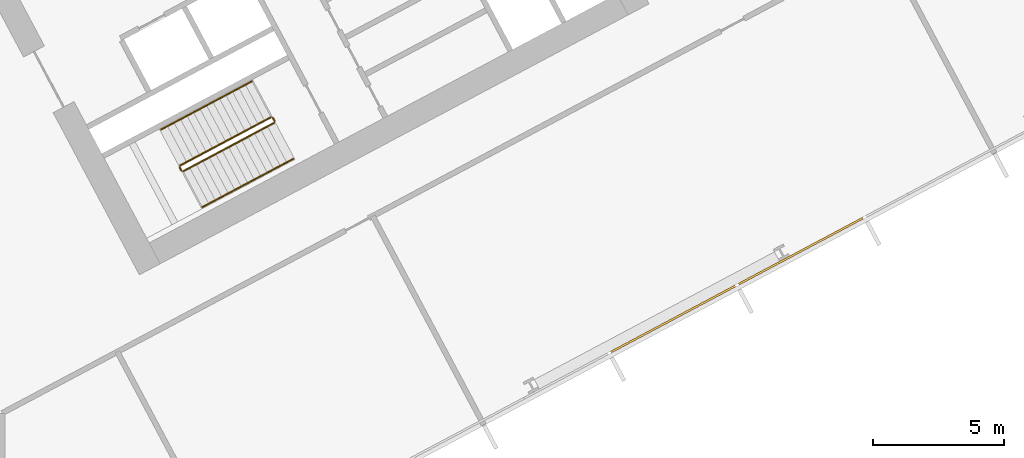
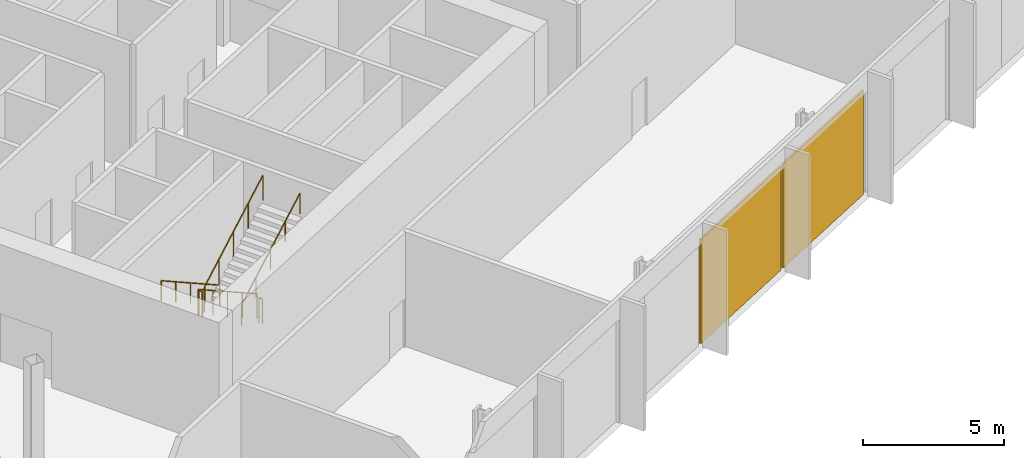
# One storey, part 27 of 32: 6 railings, 2 coverings, 1 element without a shape of its own.
"""IFC4 building model written with IfcOpenShell, lengths in metres."""

from ifc_helpers import new_model, si_unit, direction, frame, origin, origin_2d, place, context, subcontext, project, spatial, polyline, rectangle, outline, extrude, material, layer, layer_set, type_object, element, aggregate, save


model = new_model("IFC4")

# Units and contexts
model_context = context("Model", 3, precision=1e-05, world=origin(), true_north=direction((0.0, 1.0)))
body_context = subcontext(model_context, "Body", "Model", "MODEL_VIEW")
ifc_project = project(units=[si_unit("LENGTHUNIT", "METRE"), si_unit("AREAUNIT", "SQUARE_METRE"), si_unit("VOLUMEUNIT", "CUBIC_METRE"), si_unit("PLANEANGLEUNIT", "RADIAN"), si_unit("MASSUNIT", "GRAM", prefix="KILO")], contexts=[model_context])

# Site, building, storey
site_placement = place(None, origin())
site = spatial("IfcSite", under=ifc_project, at=site_placement, CompositionType="ELEMENT")
building_placement = place(site_placement, origin())
building = spatial("IfcBuilding", under=site, at=building_placement, Name="Cormorant Relay Tower", CompositionType="ELEMENT")
storey_placement = place(building_placement, frame((0.0, 0.0, 39.199951171875)))
storey = spatial("IfcBuildingStorey", under=building, at=storey_placement, Name="L07", CompositionType="ELEMENT", Elevation=39.199951171875)

# Curtain wall, coverings
ifc_material_1 = material(Name="Aluminium 6063-T6 anodised bronze", Category="aluminium")
ifc_layer_1 = layer(ifc_material_1, 0.235107421875)
ifc_layer_set_1 = layer_set([ifc_layer_1], Name="CW6 data hall curtain wall with mineral wool panels")
curtain_wall_type = type_object("IfcCurtainWallType", Name="CW6 data hall curtain wall with mineral wool panels", PredefinedType="NOTDEFINED", material=ifc_layer_set_1)
curtain_wall_placement = place(storey_placement, origin())
curtain_wall = element("IfcCurtainWall", 1, at=curtain_wall_placement, inside=storey, type_object=curtain_wall_type, Name="CW6 curtain wall 2", PredefinedType="NOTDEFINED")
ifc_material_2 = material(Name="Mineral wool cored anodised bronze aluminium cassette panel", Category="aluminium")
ifc_layer_2 = layer(ifc_material_2, 0.074951171875)
ifc_layer_set_2 = layer_set([ifc_layer_2], Name="CW6 mineral wool cassette panel 75")
covering_type = type_object("IfcCoveringType", Name="CW6 mineral wool cassette panel 75", PredefinedType="CLADDING", material=ifc_layer_set_2)
covering_1_placement = place(storey_placement, frame((39.16650390625, -3.001220703125, 0.0), z_axis=(0.0, 0.0, 1.0), x_axis=(0.882947592859, 0.469471562786, 0.0)))
covering_1 = element("IfcCovering", 2, at=covering_1_placement, type_object=covering_type, Name="CW6 panel S07", PredefinedType="CLADDING", context=body_context, shape_type="SweptSolid", body=[
    extrude(rectangle(XDim=5.36181640625, YDim=0.074951171875, at=origin_2d()), origin(), (0.0, 0.0, 1.0), 4.5),
])
covering_2_placement = place(storey_placement, frame((44.033203125, -0.41357421875, 0.0), z_axis=(0.0, 0.0, 1.0), x_axis=(0.882947592859, 0.469471562786, 0.0)))
covering_2 = element("IfcCovering", 3, at=covering_2_placement, type_object=covering_type, Name="CW6 panel S08", PredefinedType="CLADDING", context=body_context, shape_type="SweptSolid", body=[
    extrude(rectangle(XDim=5.36181640625, YDim=0.074951171875, at=origin_2d()), origin(), (0.0, 0.0, 1.0), 4.5),
])
aggregate(curtain_wall, [covering_1, covering_2])

# Railings
ifc_material_3 = material(Name="Steel ASTM A572 Grade 50 (Fy 345 MPa)", Category="steel")
railing_type_1 = type_object("IfcRailingType", Name="Stair guard 1100", PredefinedType="GUARDRAIL", material=ifc_material_3)
railing_1_placement = place(storey_placement, frame((23.83837890625, 4.6904296875, 0.179931640625)))
element("IfcRailing", 4, at=railing_1_placement, inside=storey, type_object=railing_type_1, Name="L07 B1 stair guard 1", PredefinedType="GUARDRAIL", context=body_context, shape_type="SweptSolid", body=[
    extrude(outline(polyline([(0.022216796875, 0.00927734375), (0.00927734375, 0.022216796875), (-0.00927734375, 0.022216796875), (-0.022216796875, 0.00927734375), (-0.022216796875, -0.00927734375), (-0.00927734375, -0.022216796875), (0.00927734375, -0.022216796875), (0.022216796875, -0.00927734375), (0.022216796875, 0.00927734375)])), frame((0.0, 0.0, 1.076171875), z_axis=(-0.74271721126, -0.394907409077, 0.540758062681), x_axis=(0.469469396681, -0.882948744594, 0.0)), (0.0, 0.0, 1.0), 4.66015625),
    extrude(outline(polyline([(0.019287109375, 0.008056640625), (0.008056640625, 0.019287109375), (-0.008056640625, 0.019287109375), (-0.019287109375, 0.008056640625), (-0.019287109375, -0.008056640625), (-0.008056640625, -0.019287109375), (0.008056640625, -0.019287109375), (0.019287109375, -0.008056640625), (0.019287109375, 0.008056640625)])), origin(), (0.0, 0.0, 1.0), 1.052001953125),
    extrude(outline(polyline([(0.019287109375, 0.008056640625), (0.008056640625, 0.019287109375), (-0.008056640625, 0.019287109375), (-0.019287109375, 0.008056640625), (-0.019287109375, -0.008056640625), (-0.008056640625, -0.019287109375), (0.008056640625, -0.019287109375), (0.019287109375, -0.008056640625), (0.019287109375, 0.008056640625)])), frame((-0.865234375, -0.4599609375, 0.6298828125)), (0.0, 0.0, 1.0), 1.052001953125),
    extrude(outline(polyline([(0.019287109375, 0.008056640625), (0.008056640625, 0.019287109375), (-0.008056640625, 0.019287109375), (-0.019287109375, 0.008056640625), (-0.019287109375, -0.008056640625), (-0.008056640625, -0.019287109375), (0.008056640625, -0.019287109375), (0.019287109375, -0.008056640625), (0.019287109375, 0.008056640625)])), frame((-1.73046875, -0.920166015625, 1.260009765625)), (0.0, 0.0, 1.0), 1.052001953125),
    extrude(outline(polyline([(0.019287109375, 0.008056640625), (0.008056640625, 0.019287109375), (-0.008056640625, 0.019287109375), (-0.019287109375, 0.008056640625), (-0.019287109375, -0.008056640625), (-0.008056640625, -0.019287109375), (0.008056640625, -0.019287109375), (0.019287109375, -0.008056640625), (0.019287109375, 0.008056640625)])), frame((-2.595947265625, -1.38037109375, 1.89013671875)), (0.0, 0.0, 1.0), 1.052001953125),
    extrude(outline(polyline([(0.019287109375, 0.008056640625), (0.008056640625, 0.019287109375), (-0.008056640625, 0.019287109375), (-0.019287109375, 0.008056640625), (-0.019287109375, -0.008056640625), (-0.008056640625, -0.019287109375), (0.008056640625, -0.019287109375), (0.019287109375, -0.008056640625), (0.019287109375, 0.008056640625)])), frame((-3.461181640625, -1.84033203125, 2.52001953125)), (0.0, 0.0, 1.0), 1.052001953125),
])
railing_2_placement = place(storey_placement, frame((20.3564453125, 2.782470703125, 2.699951171875)))
element("IfcRailing", 5, at=railing_2_placement, inside=storey, type_object=railing_type_1, Name="L07 B1 stair guard 2", PredefinedType="GUARDRAIL", context=body_context, shape_type="SweptSolid", body=[
    extrude(outline(polyline([(0.022216796875, 0.00927734375), (0.00927734375, 0.022216796875), (-0.00927734375, 0.022216796875), (-0.022216796875, 0.00927734375), (-0.022216796875, -0.00927734375), (-0.00927734375, -0.022216796875), (0.00927734375, -0.022216796875), (0.022216796875, -0.00927734375), (0.022216796875, 0.00927734375)])), frame((0.0, 0.0, 1.076171875), z_axis=(0.470503732759, -0.882398003998, 0.0), x_axis=(0.882398003998, 0.470503732759, 0.0)), (0.0, 0.0, 1.0), 0.14990234375),
    extrude(outline(polyline([(0.019287109375, 0.008056640625), (0.008056640625, 0.019287109375), (-0.008056640625, 0.019287109375), (-0.019287109375, 0.008056640625), (-0.019287109375, -0.008056640625), (-0.008056640625, -0.019287109375), (0.008056640625, -0.019287109375), (0.019287109375, -0.008056640625), (0.019287109375, 0.008056640625)])), origin(), (0.0, 0.0, 1.0), 1.052001953125),
    extrude(outline(polyline([(0.019287109375, 0.008056640625), (0.008056640625, 0.019287109375), (-0.008056640625, 0.019287109375), (-0.019287109375, 0.008056640625), (-0.019287109375, -0.008056640625), (-0.008056640625, -0.019287109375), (0.008056640625, -0.019287109375), (0.019287109375, -0.008056640625), (0.019287109375, 0.008056640625)])), frame((0.070556640625, -0.13232421875, 0.0)), (0.0, 0.0, 1.0), 1.052001953125),
])
railing_3_placement = place(storey_placement, frame((20.49462890625, 2.62939453125, 2.880126953125)))
element("IfcRailing", 6, at=railing_3_placement, inside=storey, type_object=railing_type_1, Name="L07 B1 stair guard 3", PredefinedType="GUARDRAIL", context=body_context, shape_type="SweptSolid", body=[
    extrude(outline(polyline([(0.022216796875, 0.00927734375), (0.00927734375, 0.022216796875), (-0.00927734375, 0.022216796875), (-0.022216796875, 0.00927734375), (-0.022216796875, -0.00927734375), (-0.00927734375, -0.022216796875), (0.00927734375, -0.022216796875), (0.022216796875, -0.00927734375), (0.022216796875, 0.00927734375)])), frame((0.0, 0.0, 1.076171875), z_axis=(0.742693720225, 0.394922775329, 0.540779104131), x_axis=(-0.469495214196, 0.882935016775, 0.0)), (0.0, 0.0, 1.0), 4.659912109375),
    extrude(outline(polyline([(0.019287109375, 0.008056640625), (0.008056640625, 0.019287109375), (-0.008056640625, 0.019287109375), (-0.019287109375, 0.008056640625), (-0.019287109375, -0.008056640625), (-0.008056640625, -0.019287109375), (0.008056640625, -0.019287109375), (0.019287109375, -0.008056640625), (0.019287109375, 0.008056640625)])), origin(), (0.0, 0.0, 1.0), 1.052001953125),
    extrude(outline(polyline([(0.019287109375, 0.008056640625), (0.008056640625, 0.019287109375), (-0.008056640625, 0.019287109375), (-0.019287109375, 0.008056640625), (-0.019287109375, -0.008056640625), (-0.008056640625, -0.019287109375), (0.008056640625, -0.019287109375), (0.019287109375, -0.008056640625), (0.019287109375, 0.008056640625)])), frame((0.865234375, 0.4599609375, 0.6298828125)), (0.0, 0.0, 1.0), 1.052001953125),
    extrude(outline(polyline([(0.019287109375, 0.008056640625), (0.008056640625, 0.019287109375), (-0.008056640625, 0.019287109375), (-0.019287109375, 0.008056640625), (-0.019287109375, -0.008056640625), (-0.008056640625, -0.019287109375), (0.008056640625, -0.019287109375), (0.019287109375, -0.008056640625), (0.019287109375, 0.008056640625)])), frame((1.73046875, 0.920166015625, 1.260009765625)), (0.0, 0.0, 1.0), 1.052001953125),
    extrude(outline(polyline([(0.019287109375, 0.008056640625), (0.008056640625, 0.019287109375), (-0.008056640625, 0.019287109375), (-0.019287109375, 0.008056640625), (-0.019287109375, -0.008056640625), (-0.008056640625, -0.019287109375), (0.008056640625, -0.019287109375), (0.019287109375, -0.008056640625), (0.019287109375, 0.008056640625)])), frame((2.595703125, 1.38037109375, 1.89013671875)), (0.0, 0.0, 1.0), 1.052001953125),
    extrude(outline(polyline([(0.019287109375, 0.008056640625), (0.008056640625, 0.019287109375), (-0.008056640625, 0.019287109375), (-0.019287109375, 0.008056640625), (-0.019287109375, -0.008056640625), (-0.008056640625, -0.019287109375), (0.008056640625, -0.019287109375), (0.019287109375, -0.008056640625), (0.019287109375, 0.008056640625)])), frame((3.4609375, 1.84033203125, 2.52001953125)), (0.0, 0.0, 1.0), 1.052001953125),
])
railing_4_placement = place(storey_placement, frame((23.906005859375, 4.669677734375, 0.0)))
element("IfcRailing", 7, at=railing_4_placement, inside=storey, type_object=railing_type_1, Name="L07 B1 stair guard 4", PredefinedType="GUARDRAIL", context=body_context, shape_type="SweptSolid", body=[
    extrude(outline(polyline([(0.022216796875, 0.00927734375), (0.00927734375, 0.022216796875), (-0.00927734375, 0.022216796875), (-0.022216796875, 0.00927734375), (-0.022216796875, -0.00927734375), (-0.00927734375, -0.022216796875), (0.00927734375, -0.022216796875), (0.022216796875, -0.00927734375), (0.022216796875, 0.00927734375)])), frame((0.0, 0.0, 1.076171875), z_axis=(0.469234640946, -0.883073525669, 0.0), x_axis=(0.883073525669, 0.469234640946, 0.0)), (0.0, 0.0, 1.0), 0.14990234375),
    extrude(outline(polyline([(0.019287109375, 0.008056640625), (0.008056640625, 0.019287109375), (-0.008056640625, 0.019287109375), (-0.019287109375, 0.008056640625), (-0.019287109375, -0.008056640625), (-0.008056640625, -0.019287109375), (0.008056640625, -0.019287109375), (0.019287109375, -0.008056640625), (0.019287109375, 0.008056640625)])), origin(), (0.0, 0.0, 1.0), 1.052001953125),
    extrude(outline(polyline([(0.019287109375, 0.008056640625), (0.008056640625, 0.019287109375), (-0.008056640625, 0.019287109375), (-0.019287109375, 0.008056640625), (-0.019287109375, -0.008056640625), (-0.008056640625, -0.019287109375), (0.008056640625, -0.019287109375), (0.019287109375, -0.008056640625), (0.019287109375, 0.008056640625)])), frame((0.0703125, -0.13232421875, 0.0)), (0.0, 0.0, 1.0), 1.052001953125),
])
ifc_material_4 = material(Name="Steel ASTM A572 Grade 50 (Fy 345 MPa)", Category="steel")
railing_type_2 = type_object("IfcRailingType", Name="Stair handrail 900", PredefinedType="HANDRAIL", material=ifc_material_4)
railing_5_placement = place(storey_placement, frame((23.110595703125, 6.05908203125, 0.179931640625)))
element("IfcRailing", 8, at=railing_5_placement, inside=storey, type_object=railing_type_2, Name="L07 B1 stair handrail 1", PredefinedType="HANDRAIL", context=body_context, shape_type="SweptSolid", body=[
    extrude(outline(polyline([(0.022216796875, 0.00927734375), (0.00927734375, 0.022216796875), (-0.00927734375, 0.022216796875), (-0.022216796875, 0.00927734375), (-0.022216796875, -0.00927734375), (-0.00927734375, -0.022216796875), (0.00927734375, -0.022216796875), (0.022216796875, -0.00927734375), (0.022216796875, 0.00927734375)])), frame((0.0, 0.0, 0.8759765625), z_axis=(-0.74271721126, -0.394907409077, 0.540758062681), x_axis=(0.469469396681, -0.882948744594, 0.0)), (0.0, 0.0, 1.0), 4.66015625),
    extrude(outline(polyline([(0.019287109375, 0.008056640625), (0.008056640625, 0.019287109375), (-0.008056640625, 0.019287109375), (-0.019287109375, 0.008056640625), (-0.019287109375, -0.008056640625), (-0.008056640625, -0.019287109375), (0.008056640625, -0.019287109375), (0.019287109375, -0.008056640625), (0.019287109375, 0.008056640625)])), origin(), (0.0, 0.0, 1.0), 0.851806640625),
    extrude(outline(polyline([(0.019287109375, 0.008056640625), (0.008056640625, 0.019287109375), (-0.008056640625, 0.019287109375), (-0.019287109375, 0.008056640625), (-0.019287109375, -0.008056640625), (-0.008056640625, -0.019287109375), (0.008056640625, -0.019287109375), (0.019287109375, -0.008056640625), (0.019287109375, 0.008056640625)])), frame((-0.865234375, -0.4599609375, 0.6298828125)), (0.0, 0.0, 1.0), 0.851806640625),
    extrude(outline(polyline([(0.019287109375, 0.008056640625), (0.008056640625, 0.019287109375), (-0.008056640625, 0.019287109375), (-0.019287109375, 0.008056640625), (-0.019287109375, -0.008056640625), (-0.008056640625, -0.019287109375), (0.008056640625, -0.019287109375), (0.019287109375, -0.008056640625), (0.019287109375, 0.008056640625)])), frame((-1.73046875, -0.920166015625, 1.260009765625)), (0.0, 0.0, 1.0), 0.851806640625),
    extrude(outline(polyline([(0.019287109375, 0.008056640625), (0.008056640625, 0.019287109375), (-0.008056640625, 0.019287109375), (-0.019287109375, 0.008056640625), (-0.019287109375, -0.008056640625), (-0.008056640625, -0.019287109375), (0.008056640625, -0.019287109375), (0.019287109375, -0.008056640625), (0.019287109375, 0.008056640625)])), frame((-2.595947265625, -1.38037109375, 1.89013671875)), (0.0, 0.0, 1.0), 0.851806640625),
    extrude(outline(polyline([(0.019287109375, 0.008056640625), (0.008056640625, 0.019287109375), (-0.008056640625, 0.019287109375), (-0.019287109375, 0.008056640625), (-0.019287109375, -0.008056640625), (-0.008056640625, -0.019287109375), (0.008056640625, -0.019287109375), (0.019287109375, -0.008056640625), (0.019287109375, 0.008056640625)])), frame((-3.461181640625, -1.84033203125, 2.52001953125)), (0.0, 0.0, 1.0), 0.851806640625),
])
railing_6_placement = place(storey_placement, frame((21.22216796875, 1.2607421875, 2.880126953125)))
element("IfcRailing", 9, at=railing_6_placement, inside=storey, type_object=railing_type_2, Name="L07 B1 stair handrail 2", PredefinedType="HANDRAIL", context=body_context, shape_type="SweptSolid", body=[
    extrude(outline(polyline([(0.022216796875, 0.00927734375), (0.00927734375, 0.022216796875), (-0.00927734375, 0.022216796875), (-0.022216796875, 0.00927734375), (-0.022216796875, -0.00927734375), (-0.00927734375, -0.022216796875), (0.00927734375, -0.022216796875), (0.022216796875, -0.00927734375), (0.022216796875, 0.00927734375)])), frame((0.0, 0.0, 0.8759765625), z_axis=(0.74271721126, 0.394907409077, 0.540758062681), x_axis=(-0.469469396681, 0.882948744594, 0.0)), (0.0, 0.0, 1.0), 4.66015625),
    extrude(outline(polyline([(0.019287109375, 0.008056640625), (0.008056640625, 0.019287109375), (-0.008056640625, 0.019287109375), (-0.019287109375, 0.008056640625), (-0.019287109375, -0.008056640625), (-0.008056640625, -0.019287109375), (0.008056640625, -0.019287109375), (0.019287109375, -0.008056640625), (0.019287109375, 0.008056640625)])), origin(), (0.0, 0.0, 1.0), 0.851806640625),
    extrude(outline(polyline([(0.019287109375, 0.008056640625), (0.008056640625, 0.019287109375), (-0.008056640625, 0.019287109375), (-0.019287109375, 0.008056640625), (-0.019287109375, -0.008056640625), (-0.008056640625, -0.019287109375), (0.008056640625, -0.019287109375), (0.019287109375, -0.008056640625), (0.019287109375, 0.008056640625)])), frame((0.865234375, 0.4599609375, 0.6298828125)), (0.0, 0.0, 1.0), 0.851806640625),
    extrude(outline(polyline([(0.019287109375, 0.008056640625), (0.008056640625, 0.019287109375), (-0.008056640625, 0.019287109375), (-0.019287109375, 0.008056640625), (-0.019287109375, -0.008056640625), (-0.008056640625, -0.019287109375), (0.008056640625, -0.019287109375), (0.019287109375, -0.008056640625), (0.019287109375, 0.008056640625)])), frame((1.73046875, 0.920166015625, 1.260009765625)), (0.0, 0.0, 1.0), 0.851806640625),
    extrude(outline(polyline([(0.019287109375, 0.008056640625), (0.008056640625, 0.019287109375), (-0.008056640625, 0.019287109375), (-0.019287109375, 0.008056640625), (-0.019287109375, -0.008056640625), (-0.008056640625, -0.019287109375), (0.008056640625, -0.019287109375), (0.019287109375, -0.008056640625), (0.019287109375, 0.008056640625)])), frame((2.595947265625, 1.38037109375, 1.89013671875)), (0.0, 0.0, 1.0), 0.851806640625),
    extrude(outline(polyline([(0.019287109375, 0.008056640625), (0.008056640625, 0.019287109375), (-0.008056640625, 0.019287109375), (-0.019287109375, 0.008056640625), (-0.019287109375, -0.008056640625), (-0.008056640625, -0.019287109375), (0.008056640625, -0.019287109375), (0.019287109375, -0.008056640625), (0.019287109375, 0.008056640625)])), frame((3.461181640625, 1.84033203125, 2.52001953125)), (0.0, 0.0, 1.0), 0.851806640625),
])

save(model, "model.ifc")
